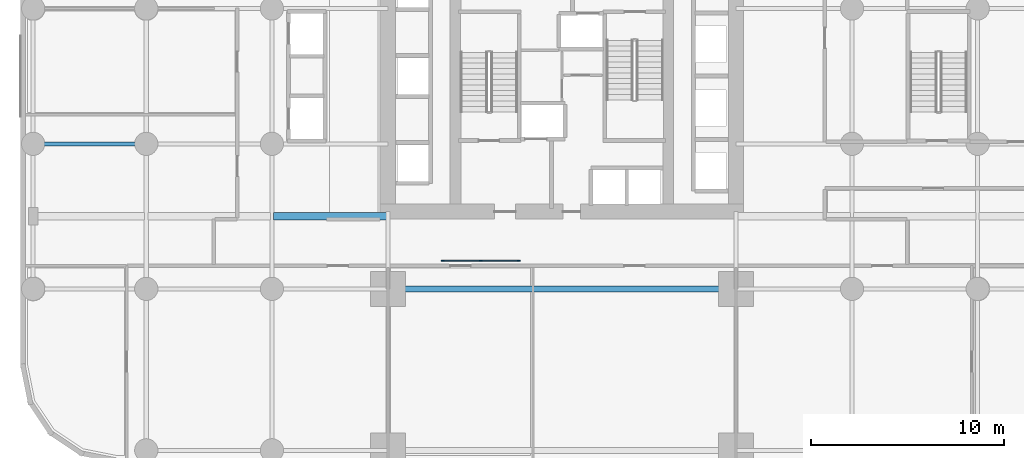
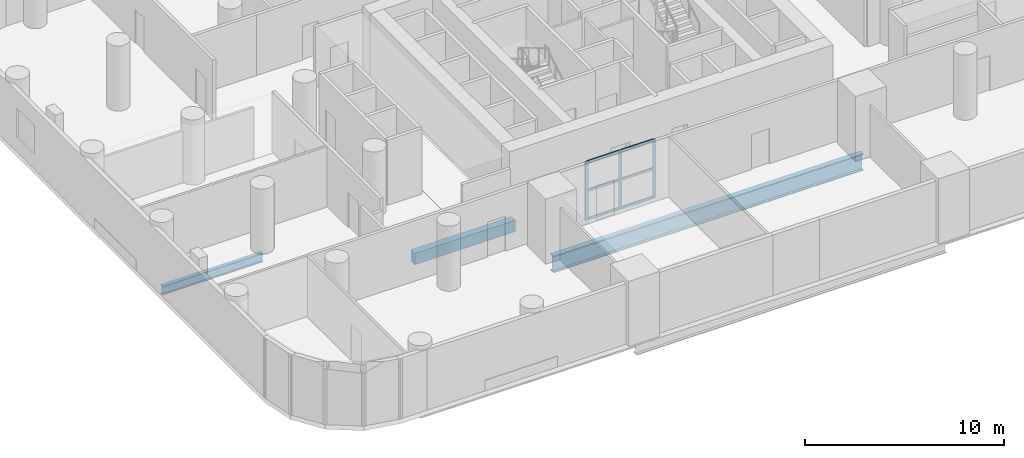
# One storey, part 2 of 12: 9 members, 3 beams, 1 element without a shape of its own.
"""IFC4 building model written with IfcOpenShell, lengths in metres."""

from ifc_helpers import new_model, si_unit, direction, frame, origin, origin_2d, place, context, subcontext, project, spatial, rectangle, i_section, extrude, material, material_profile, profile_set, type_object, element, aggregate, save


model = new_model("IFC4")

# Units and contexts
model_context = context("Model", 3, precision=1e-05, world=origin(), true_north=direction((0.0, 1.0)))
body_context = subcontext(model_context, "Body", "Model", "MODEL_VIEW")
ifc_project = project(units=[si_unit("LENGTHUNIT", "METRE"), si_unit("AREAUNIT", "SQUARE_METRE"), si_unit("VOLUMEUNIT", "CUBIC_METRE"), si_unit("PLANEANGLEUNIT", "RADIAN"), si_unit("MASSUNIT", "GRAM", prefix="KILO")], contexts=[model_context])

# Site, building, storey
site_placement = place(None, origin())
site = spatial("IfcSite", under=ifc_project, at=site_placement, CompositionType="ELEMENT")
building_placement = place(site_placement, origin())
building = spatial("IfcBuilding", under=site, at=building_placement, Name="Veldorim Arch Residences", CompositionType="ELEMENT")
storey_placement = place(building_placement, frame((0.0, 0.0, 12.0)))
storey = spatial("IfcBuildingStorey", under=building, at=storey_placement, Name="L03", CompositionType="ELEMENT", Elevation=12.0)

# Curtain wall, members
ifc_material_1 = material(Name="Aluminium", Category="aluminium")
curtain_wall_type = type_object("IfcCurtainWallType", Name="Crown Faceted Fritted Laminated Curtain Wall", PredefinedType="NOTDEFINED", material=ifc_material_1)
curtain_wall_placement = place(storey_placement, origin())
curtain_wall = element("IfcCurtainWall", 1, at=curtain_wall_placement, inside=storey, type_object=curtain_wall_type, Name="L03 S arch bridge clerestory curtain wall", PredefinedType="NOTDEFINED")
ifc_material_2 = material(Name="Aluminium", Category="aluminium")
ifc_material_profile_1 = material_profile(ifc_material_2, rectangle(XDim=0.070068359375, YDim=0.169921875, at=origin_2d()), Name="ALU_MUL_70x170")
ifc_profile_set_1 = profile_set([ifc_material_profile_1], Name="Aluminium")
member_type_1 = type_object("IfcMemberType", Name="Crown Faceted Fritted Laminated Curtain Wall Mullion 70x170", PredefinedType="MULLION", material=ifc_profile_set_1)
member_1_placement = place(storey_placement, frame((25.8349609375, 14.449951171875, 0.0), z_axis=(0.0, 0.0, 1.0), x_axis=(0.0, 1.0, 0.0)))
member_1 = element("IfcMember", 2, at=member_1_placement, type_object=member_type_1, Name="CW-CRN mullion 1", PredefinedType="MULLION", context=body_context, shape_type="SweptSolid", body=[
    extrude(rectangle(XDim=0.070068359375, YDim=0.169921875, at=origin_2d()), origin(), (0.0, 0.0, 1.0), 3.580078125),
])
member_2_placement = place(storey_placement, frame((27.800048828125, 14.449951171875, 0.0), z_axis=(0.0, 0.0, 1.0), x_axis=(0.0, 1.0, 0.0)))
member_2 = element("IfcMember", 3, at=member_2_placement, type_object=member_type_1, Name="CW-CRN mullion 2", PredefinedType="MULLION", context=body_context, shape_type="SweptSolid", body=[
    extrude(rectangle(XDim=0.070068359375, YDim=0.169921875, at=origin_2d()), origin(), (0.0, 0.0, 1.0), 3.580078125),
])
member_3_placement = place(storey_placement, frame((29.764892578125, 14.449951171875, 0.0), z_axis=(0.0, 0.0, 1.0), x_axis=(0.0, 1.0, 0.0)))
member_3 = element("IfcMember", 4, at=member_3_placement, type_object=member_type_1, Name="CW-CRN mullion 3", PredefinedType="MULLION", context=body_context, shape_type="SweptSolid", body=[
    extrude(rectangle(XDim=0.070068359375, YDim=0.169921875, at=origin_2d()), origin(), (0.0, 0.0, 1.0), 3.580078125),
])
ifc_material_3 = material(Name="Aluminium", Category="aluminium")
ifc_material_profile_2 = material_profile(ifc_material_3, rectangle(XDim=0.070068359375, YDim=0.14990234375, at=origin_2d()), Name="ALU_TRN_70x150")
ifc_profile_set_2 = profile_set([ifc_material_profile_2], Name="Aluminium")
member_type_2 = type_object("IfcMemberType", Name="Crown Faceted Fritted Laminated Curtain Wall Transom 70x150", PredefinedType="USERDEFINED", material=ifc_profile_set_2)
member_4_placement = place(storey_placement, frame((25.8701171875, 14.449951171875, 0.034912109375), z_axis=(1.0, 0.0, 0.0), x_axis=(0.0, 1.0, 0.0)))
member_4 = element("IfcMember", 5, at=member_4_placement, type_object=member_type_2, Name="CW-CRN transom 1.1", ObjectType="TRANSOM", PredefinedType="USERDEFINED", context=body_context, shape_type="SweptSolid", body=[
    extrude(rectangle(XDim=0.070068359375, YDim=0.14990234375, at=origin_2d()), origin(), (0.0, 0.0, 1.0), 1.894775390625),
])
member_5_placement = place(storey_placement, frame((25.8701171875, 14.449951171875, 1.7900390625), z_axis=(1.0, 0.0, 0.0), x_axis=(0.0, 1.0, 0.0)))
member_5 = element("IfcMember", 6, at=member_5_placement, type_object=member_type_2, Name="CW-CRN transom 1.2", ObjectType="TRANSOM", PredefinedType="USERDEFINED", context=body_context, shape_type="SweptSolid", body=[
    extrude(rectangle(XDim=0.070068359375, YDim=0.14990234375, at=origin_2d()), origin(), (0.0, 0.0, 1.0), 1.894775390625),
])
member_6_placement = place(storey_placement, frame((25.8701171875, 14.449951171875, 3.544921875), z_axis=(1.0, 0.0, 0.0), x_axis=(0.0, 1.0, 0.0)))
member_6 = element("IfcMember", 7, at=member_6_placement, type_object=member_type_2, Name="CW-CRN transom 1.3", ObjectType="TRANSOM", PredefinedType="USERDEFINED", context=body_context, shape_type="SweptSolid", body=[
    extrude(rectangle(XDim=0.070068359375, YDim=0.14990234375, at=origin_2d()), origin(), (0.0, 0.0, 1.0), 1.894775390625),
])
member_7_placement = place(storey_placement, frame((27.8349609375, 14.449951171875, 0.034912109375), z_axis=(1.0, 0.0, 0.0), x_axis=(0.0, 1.0, 0.0)))
member_7 = element("IfcMember", 8, at=member_7_placement, type_object=member_type_2, Name="CW-CRN transom 2.1", ObjectType="TRANSOM", PredefinedType="USERDEFINED", context=body_context, shape_type="SweptSolid", body=[
    extrude(rectangle(XDim=0.070068359375, YDim=0.14990234375, at=origin_2d()), origin(), (0.0, 0.0, 1.0), 1.89501953125),
])
member_8_placement = place(storey_placement, frame((27.8349609375, 14.449951171875, 1.7900390625), z_axis=(1.0, 0.0, 0.0), x_axis=(0.0, 1.0, 0.0)))
member_8 = element("IfcMember", 9, at=member_8_placement, type_object=member_type_2, Name="CW-CRN transom 2.2", ObjectType="TRANSOM", PredefinedType="USERDEFINED", context=body_context, shape_type="SweptSolid", body=[
    extrude(rectangle(XDim=0.070068359375, YDim=0.14990234375, at=origin_2d()), origin(), (0.0, 0.0, 1.0), 1.89501953125),
])
member_9_placement = place(storey_placement, frame((27.8349609375, 14.449951171875, 3.544921875), z_axis=(1.0, 0.0, 0.0), x_axis=(0.0, 1.0, 0.0)))
member_9 = element("IfcMember", 10, at=member_9_placement, type_object=member_type_2, Name="CW-CRN transom 2.3", ObjectType="TRANSOM", PredefinedType="USERDEFINED", context=body_context, shape_type="SweptSolid", body=[
    extrude(rectangle(XDim=0.070068359375, YDim=0.14990234375, at=origin_2d()), origin(), (0.0, 0.0, 1.0), 1.89501953125),
])
aggregate(curtain_wall, [member_1, member_2, member_3, member_4, member_5, member_6, member_7, member_8, member_9])

# Beams
ifc_material_4 = material(Name="Concrete C50/60", Category="concrete")
ifc_material_profile_3 = material_profile(ifc_material_4, rectangle(XDim=0.39990234375, YDim=0.699951171875, at=origin_2d()), Name="RC_RECT_400x700")
ifc_profile_set_3 = profile_set([ifc_material_profile_3], Name="Concrete C50/60")
beam_type_1 = type_object("IfcBeamType", Name="Reinforced Concrete Lintel RC_RECT_400x700", PredefinedType="LINTEL", material=ifc_profile_set_3)
beam_1_placement = place(storey_placement, frame((17.080078125, 16.75, -0.6298828125), z_axis=(1.0, 0.0, 0.0), x_axis=(0.0, 1.0, 0.0)))
element("IfcBeam", 11, at=beam_1_placement, inside=storey, type_object=beam_type_1, Name="L03 clinic opening structural lintel 03", PredefinedType="LINTEL", context=body_context, shape_type="SweptSolid", body=[
    extrude(rectangle(XDim=0.39990234375, YDim=0.699951171875, at=origin_2d()), origin(), (0.0, 0.0, 1.0), 5.83984375),
])
ifc_material_5 = material(Name="Steel S355", Category="steel")
ifc_material_profile_4 = material_profile(ifc_material_5, i_section(OverallWidth=0.2119140625, OverallDepth=0.54443359375, WebThickness=0.0126953125, FlangeThickness=0.021240234375, at=origin_2d()), Name="UB533x210x122")
ifc_profile_set_4 = profile_set([ifc_material_profile_4], Name="Steel S355")
beam_type_2 = type_object("IfcBeamType", Name="Structural Steel Beam UB533x210x122", PredefinedType="BEAM", material=ifc_profile_set_4)
beam_2_placement = place(storey_placement, frame((4.64990234375, 20.5, -0.55224609375), z_axis=(1.0, 0.0, 0.0), x_axis=(0.0, 1.0, 0.0)))
element("IfcBeam", 12, at=beam_2_placement, inside=storey, type_object=beam_type_2, Name="L03 east-west floor beam (4.7-10.5, Y=20.5)", PredefinedType="BEAM", context=body_context, shape_type="SweptSolid", body=[
    extrude(i_section(OverallWidth=0.2119140625, OverallDepth=0.54443359375, WebThickness=0.0126953125, FlangeThickness=0.021240234375, at=origin_2d()), origin(), (0.0, 0.0, 1.0), 5.85009765625),
])
ifc_material_6 = material(Name="Steel S460", Category="steel")
ifc_material_profile_5 = material_profile(ifc_material_6, i_section(OverallWidth=0.305419921875, OverallDepth=1.02587890625, WebThickness=0.02685546875, FlangeThickness=0.053955078125, at=origin_2d()), Name="UB1016x305x437")
ifc_profile_set_5 = profile_set([ifc_material_profile_5], Name="Steel S460")
beam_type_3 = type_object("IfcBeamType", Name="Structural Steel GIRDER UB1016x305x437", PredefinedType="USERDEFINED", material=ifc_profile_set_5)
beam_3_placement = place(storey_placement, frame((23.0, 13.0, -0.79296875), z_axis=(1.0, 0.0, 0.0), x_axis=(0.0, 1.0, 0.0)))
element("IfcBeam", 13, at=beam_3_placement, inside=storey, type_object=beam_type_3, Name="L03 east-west floor beam (23.0-41.0, Y=13.0)", ObjectType="GIRDER", PredefinedType="USERDEFINED", context=body_context, shape_type="SweptSolid", body=[
    extrude(i_section(OverallWidth=0.305419921875, OverallDepth=1.02587890625, WebThickness=0.02685546875, FlangeThickness=0.053955078125, at=origin_2d()), origin(), (0.0, 0.0, 1.0), 18.0),
])

save(model, "model.ifc")
